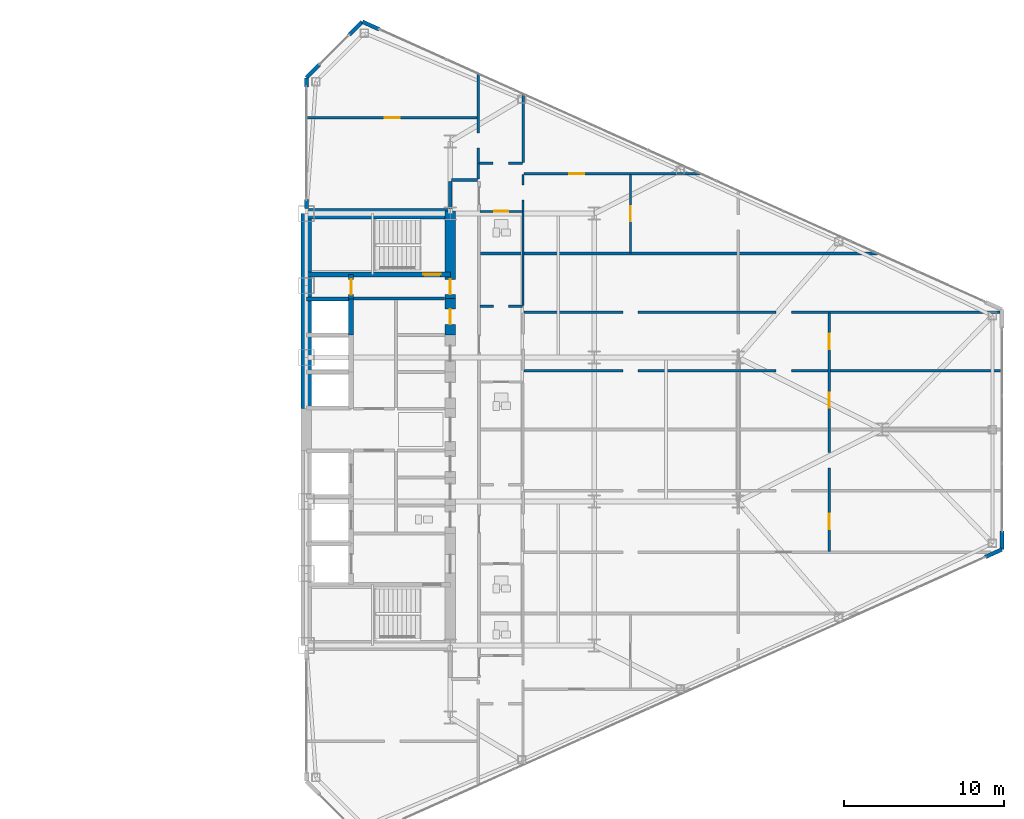
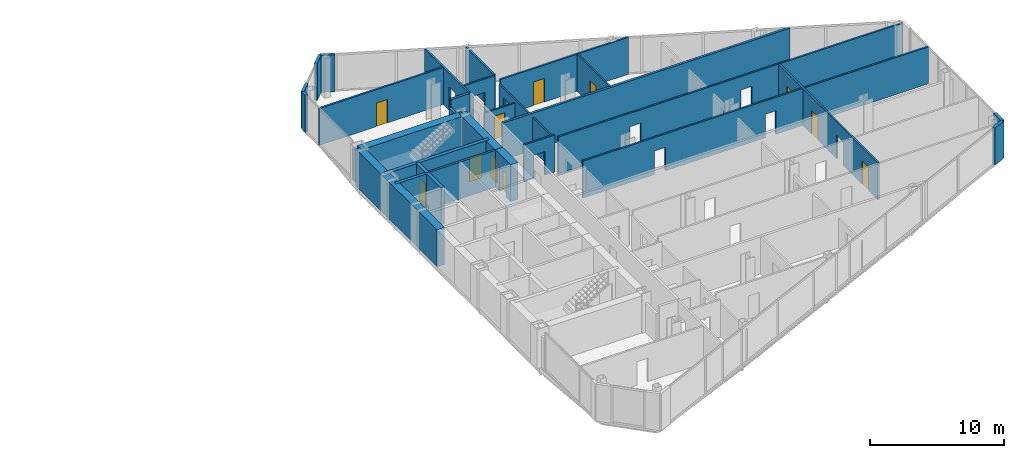
# One storey, part 24 of 27: 31 walls, 11 doors, 20 openings.
"""IFC4 building model written with IfcOpenShell, lengths in metres."""

from ifc_helpers import new_model, si_unit, direction, frame, frame_2d, origin, place, context, subcontext, project, spatial, rectangle, extrude, source, transform, mapped, material, layer, layer_set, type_object, type_shapes, element, fill, save


model = new_model("IFC4")

# Units and contexts
model_context = context("Model", 3, precision=1e-05, world=origin(), true_north=direction((0.0, 1.0)))
body_context = subcontext(model_context, "Body", "Model", "MODEL_VIEW")
ifc_project = project(units=[si_unit("LENGTHUNIT", "METRE"), si_unit("AREAUNIT", "SQUARE_METRE"), si_unit("VOLUMEUNIT", "CUBIC_METRE"), si_unit("PLANEANGLEUNIT", "RADIAN"), si_unit("MASSUNIT", "GRAM", prefix="KILO")], contexts=[model_context])

# Site, building, storey
site_placement = place(None, origin())
site = spatial("IfcSite", under=ifc_project, at=site_placement, CompositionType="ELEMENT")
building_placement = place(site_placement, origin())
building = spatial("IfcBuilding", under=site, at=building_placement, Name="Seokmaru Belvedere", CompositionType="ELEMENT")
storey_placement = place(building_placement, frame((0.0, 0.0, 80.10009765625)))
storey = spatial("IfcBuildingStorey", under=building, at=storey_placement, Name="L21", CompositionType="ELEMENT", Elevation=80.10009765625)

# Wall, openings
ifc_material_1 = material(Name="Fire-Rated Gypsum Shaftwall")
ifc_layer_1 = layer(ifc_material_1, 0.14990234375)
ifc_layer_set_1 = layer_set([ifc_layer_1], Name="Fire-Rated Gypsum Shaftwall")
wall_type_1 = type_object("IfcWallType", Name="Apartment Fire-Acoustic Room Partition 150", PredefinedType="PARTITIONING", material=ifc_layer_set_1)
wall_1_placement = place(storey_placement, frame((41.10009765625, 3.669921875, 0.0), z_axis=(0.0, 0.0, 1.0), x_axis=(1.0, 0.0, 0.0)))
wall_1 = element("IfcWall", 1, at=wall_1_placement, inside=storey, type_object=wall_type_1, Name="L21 Interior Partition 019", PredefinedType="PARTITIONING", context=body_context, shape_type="SweptSolid", body=[
    extrude(rectangle(XDim=29.934814453125, YDim=0.14990234375, at=frame_2d((14.96728515625, 0.0))), origin(), (0.0, 0.0, 1.0), 3.3798828125),
])
opening_1_placement = place(wall_1_placement, frame((6.199951171875, 0.0, 0.0)))
element("IfcOpeningElement", 2, at=opening_1_placement, cuts=wall_1, Name="L21 Cased Opening 051", PredefinedType="OPENING", context=body_context, shape_type="SweptSolid", body=[
    extrude(rectangle(XDim=0.949951171875, YDim=2.14990234375, at=frame_2d((0.47509765625, 1.074951171875))), frame((0.0, 0.0849609375, 0.0), z_axis=(0.0, -1.0, 0.0), x_axis=(1.0, 0.0, 0.0)), (0.0, 0.0, 1.0), 0.169921875),
])
opening_2_placement = place(wall_1_placement, frame((15.77490234375, 0.0, 0.0)))
element("IfcOpeningElement", 3, at=opening_2_placement, cuts=wall_1, Name="L21 Cased Opening 053", PredefinedType="OPENING", context=body_context, shape_type="SweptSolid", body=[
    extrude(rectangle(XDim=0.949951171875, YDim=2.14990234375, at=frame_2d((0.47509765625, 1.074951171875))), frame((0.0, 0.0849609375, 0.0), z_axis=(0.0, -1.0, 0.0), x_axis=(1.0, 0.0, 0.0)), (0.0, 0.0, 1.0), 0.169921875),
])

wall_2_placement = place(storey_placement, frame((41.10009765625, 7.330078125, 0.0), z_axis=(0.0, 0.0, 1.0), x_axis=(1.0, 0.0, 0.0)))
wall_2 = element("IfcWall", 4, at=wall_2_placement, inside=storey, type_object=wall_type_1, Name="L21 Interior Partition 021", PredefinedType="PARTITIONING", context=body_context, shape_type="SweptSolid", body=[
    extrude(rectangle(XDim=29.77490234375, YDim=0.14990234375, at=frame_2d((14.887451171875, 0.0))), origin(), (0.0, 0.0, 1.0), 3.3798828125),
])
opening_3_placement = place(wall_2_placement, frame((6.199951171875, 0.0, 0.0)))
element("IfcOpeningElement", 5, at=opening_3_placement, cuts=wall_2, Name="L21 Cased Opening 052", PredefinedType="OPENING", context=body_context, shape_type="SweptSolid", body=[
    extrude(rectangle(XDim=0.949951171875, YDim=2.14990234375, at=frame_2d((0.47509765625, 1.074951171875))), frame((0.0, 0.0849609375, 0.0), z_axis=(0.0, -1.0, 0.0), x_axis=(1.0, 0.0, 0.0)), (0.0, 0.0, 1.0), 0.169921875),
])
opening_4_placement = place(wall_2_placement, frame((15.77490234375, 0.0, 0.0)))
element("IfcOpeningElement", 6, at=opening_4_placement, cuts=wall_2, Name="L21 Cased Opening 056", PredefinedType="OPENING", context=body_context, shape_type="SweptSolid", body=[
    extrude(rectangle(XDim=0.949951171875, YDim=2.14990234375, at=frame_2d((0.47509765625, 1.074951171875))), frame((0.0, 0.0849609375, 0.0), z_axis=(0.0, -1.0, 0.0), x_axis=(1.0, 0.0, 0.0)), (0.0, 0.0, 1.0), 0.169921875),
])

# Wall, opening
wall_3_placement = place(storey_placement, frame((38.35009765625, 7.699951171875, 0.0), z_axis=(0.0, 0.0, 1.0), x_axis=(1.0, 0.0, 0.0)))
wall_3 = element("IfcWall", 7, at=wall_3_placement, inside=storey, type_object=wall_type_1, Name="L21 Interior Partition 022", PredefinedType="PARTITIONING", context=body_context, shape_type="SweptSolid", body=[
    extrude(rectangle(XDim=2.64990234375, YDim=0.14990234375, at=frame_2d((1.324951171875, 0.0))), origin(), (0.0, 0.0, 1.0), 3.3798828125),
])
opening_5_placement = place(wall_3_placement, frame((0.85009765625, 0.0, 0.0)))
element("IfcOpeningElement", 8, at=opening_5_placement, cuts=wall_3, Name="L21 Cased Opening 048", PredefinedType="OPENING", context=body_context, shape_type="SweptSolid", body=[
    extrude(rectangle(XDim=0.949951171875, YDim=2.14990234375, at=frame_2d((0.47509765625, 1.074951171875))), frame((0.0, 0.0849609375, 0.0), z_axis=(0.0, -1.0, 0.0), x_axis=(1.0, 0.0, 0.0)), (0.0, 0.0, 1.0), 0.169921875),
])

# Wall, opening, door
wall_4_placement = place(storey_placement, frame((41.10009765625, 15.989990234375, 0.0), z_axis=(0.0, 0.0, 1.0), x_axis=(1.0, 0.0, 0.0)))
wall_4 = element("IfcWall", 9, at=wall_4_placement, inside=storey, type_object=wall_type_1, Name="L21 Interior Partition 031", PredefinedType="PARTITIONING", context=body_context, shape_type="SweptSolid", body=[
    extrude(rectangle(XDim=11.07080078125, YDim=0.14990234375, at=frame_2d((5.535400390625, 0.0))), origin(), (0.0, 0.0, 1.0), 3.3798828125),
])
opening_6_placement = place(wall_4_placement, frame((2.83740234375, 0.0, 0.0)))
opening_6 = element("IfcOpeningElement", 10, at=opening_6_placement, cuts=wall_4, Name="Opening D05", PredefinedType="OPENING", context=body_context, shape_type="SweptSolid", body=[
    extrude(rectangle(XDim=0.949951171875, YDim=2.14990234375, at=frame_2d((0.47509765625, 1.074951171875))), frame((0.0, 0.0849609375, 0.0), z_axis=(0.0, -1.0, 0.0), x_axis=(1.0, 0.0, 0.0)), (0.0, 0.0, 1.0), 0.169921875),
])
ifc_material_2 = material(Name="Engineered White Oak Timber", Category="wood")
door_type_1 = type_object("IfcDoorType", Name="Apartment Interior Fire-Rated Oak Door 950x2150", OperationType="NOTDEFINED", PredefinedType="DOOR", material=ifc_material_2)
shared_shape_1 = source(origin(), body_context, "Body", "SweptSolid", [
    extrude(rectangle(XDim=0.949951171875, YDim=2.14990234375, at=frame_2d((0.47509765625, 1.074951171875))), frame((0.0, 0.02490234375, 0.0), z_axis=(0.0, -1.0, 0.0), x_axis=(1.0, 0.0, 0.0)), (0.0, 0.0, 1.0), 0.050048828125),
])
type_shapes(door_type_1, [shared_shape_1])
door_1_placement = place(opening_6_placement, origin())
door_1 = element("IfcDoor", 11, at=door_1_placement, inside=storey, type_object=door_type_1, Name="L21 Interior Door 062", OperationType="SINGLE_SWING_LEFT", OverallHeight=2.14990234375, OverallWidth=0.949951171875, PredefinedType="DOOR", context=body_context, shape_type="MappedRepresentation", body=[
    mapped(shared_shape_1, transform((0.0, 0.0, 0.0), scale=1.0)),
])
fill(opening_6, door_1)

# Wall, opening
wall_5_placement = place(storey_placement, frame((38.300048828125, 16.639892578125, 0.0), z_axis=(0.0, 0.0, 1.0), x_axis=(1.0, 0.0, 0.0)))
wall_5 = element("IfcWall", 12, at=wall_5_placement, inside=storey, type_object=wall_type_1, Name="L21 Interior Partition 033", PredefinedType="PARTITIONING", context=body_context, shape_type="SweptSolid", body=[
    extrude(rectangle(XDim=2.699951171875, YDim=0.14990234375, at=frame_2d((1.35009765625, 0.0))), origin(), (0.0, 0.0, 1.0), 3.3798828125),
])
opening_7_placement = place(wall_5_placement, frame((0.875, 0.0, 0.0)))
element("IfcOpeningElement", 13, at=opening_7_placement, cuts=wall_5, Name="L21 Cased Opening 059", PredefinedType="OPENING", context=body_context, shape_type="SweptSolid", body=[
    extrude(rectangle(XDim=0.949951171875, YDim=2.14990234375, at=frame_2d((0.47509765625, 1.074951171875))), frame((0.0, 0.0849609375, 0.0), z_axis=(0.0, -1.0, 0.0), x_axis=(1.0, 0.0, 0.0)), (0.0, 0.0, 1.0), 0.169921875),
])

# Wall, opening, door
wall_6_placement = place(storey_placement, frame((27.465087890625, 19.5, 0.0), z_axis=(0.0, 0.0, 1.0), x_axis=(1.0, 0.0, 0.0)))
wall_6 = element("IfcWall", 14, at=wall_6_placement, inside=storey, type_object=wall_type_1, Name="L21 Interior Partition 035", PredefinedType="PARTITIONING", context=body_context, shape_type="SweptSolid", body=[
    extrude(rectangle(XDim=10.73486328125, YDim=0.14990234375, at=frame_2d((5.367431640625, 0.0))), origin(), (0.0, 0.0, 1.0), 3.3798828125),
])
opening_8_placement = place(wall_6_placement, frame((4.93505859375, 0.0, 0.0)))
opening_8 = element("IfcOpeningElement", 15, at=opening_8_placement, cuts=wall_6, Name="Opening D05", PredefinedType="OPENING", context=body_context, shape_type="SweptSolid", body=[
    extrude(rectangle(XDim=0.949951171875, YDim=2.14990234375, at=frame_2d((0.47509765625, 1.074951171875))), frame((0.0, 0.0849609375, 0.0), z_axis=(0.0, -1.0, 0.0), x_axis=(1.0, 0.0, 0.0)), (0.0, 0.0, 1.0), 0.169921875),
])
door_2_placement = place(opening_8_placement, origin())
door_2 = element("IfcDoor", 16, at=door_2_placement, inside=storey, type_object=door_type_1, Name="L21 Interior Door 064", OperationType="SINGLE_SWING_LEFT", OverallHeight=2.14990234375, OverallWidth=0.949951171875, PredefinedType="DOOR", context=body_context, shape_type="MappedRepresentation", body=[
    mapped(shared_shape_1, transform((0.0, 0.0, 0.0), scale=1.0)),
])
fill(opening_8, door_2)

# Wall, opening
wall_7_placement = place(storey_placement, frame((38.25, 15.64990234375, 0.0), z_axis=(0.0, 0.0, 1.0), x_axis=(0.0, 1.0, 0.0)))
wall_7 = element("IfcWall", 17, at=wall_7_placement, inside=storey, type_object=wall_type_1, Name="L21 Interior Partition 048", PredefinedType="PARTITIONING", context=body_context, shape_type="SweptSolid", body=[
    extrude(rectangle(XDim=6.623046875, YDim=0.14990234375, at=frame_2d((3.3115234375, 0.0))), origin(), (0.0, 0.0, 1.0), 3.3798828125),
])
opening_9_placement = place(wall_7_placement, frame((1.947509765625, 0.0, 0.0)))
element("IfcOpeningElement", 18, at=opening_9_placement, cuts=wall_7, Name="L21 Cased Opening 063", PredefinedType="OPENING", context=body_context, shape_type="SweptSolid", body=[
    extrude(rectangle(XDim=0.949951171875, YDim=2.14990234375, at=frame_2d((0.47509765625, 1.074951171875))), frame((0.0, 0.0849609375, 0.0), z_axis=(0.0, -1.0, 0.0), x_axis=(1.0, 0.0, 0.0)), (0.0, 0.0, 1.0), 0.169921875),
])

# Wall
wall_8_placement = place(storey_placement, frame((41.050048828125, 16.695068359375, 0.0), z_axis=(0.0, 0.0, 1.0), x_axis=(0.0, 1.0, 0.0)))
element("IfcWall", 19, at=wall_8_placement, inside=storey, type_object=wall_type_1, Name="L21 Interior Partition 055", PredefinedType="PARTITIONING", context=body_context, shape_type="SweptSolid", body=[
    extrude(rectangle(XDim=4.31689453125, YDim=0.14990234375, at=frame_2d((2.158447265625, 0.0))), origin(), (0.0, 0.0, 1.0), 3.3798828125),
])

# Wall, opening, door
wall_9_placement = place(storey_placement, frame((47.77001953125, 11.050048828125, 0.0), z_axis=(0.0, 0.0, 1.0), x_axis=(0.0, 1.0, 0.0)))
wall_9 = element("IfcWall", 20, at=wall_9_placement, inside=storey, type_object=wall_type_1, Name="L21 Interior Partition 057", PredefinedType="PARTITIONING", context=body_context, shape_type="SweptSolid", body=[
    extrude(rectangle(XDim=4.888916015625, YDim=0.14990234375, at=frame_2d((2.4443359375, 0.0))), origin(), (0.0, 0.0, 1.0), 3.3798828125),
])
opening_10_placement = place(wall_9_placement, frame((1.969482421875, 0.0, 0.0)))
opening_10 = element("IfcOpeningElement", 21, at=opening_10_placement, cuts=wall_9, Name="Opening D05", PredefinedType="OPENING", context=body_context, shape_type="SweptSolid", body=[
    extrude(rectangle(XDim=0.949951171875, YDim=2.14990234375, at=frame_2d((0.47509765625, 1.074951171875))), frame((0.0, 0.0849609375, 0.0), z_axis=(0.0, -1.0, 0.0), x_axis=(1.0, 0.0, 0.0)), (0.0, 0.0, 1.0), 0.169921875),
])
door_3_placement = place(opening_10_placement, origin())
door_3 = element("IfcDoor", 22, at=door_3_placement, inside=storey, type_object=door_type_1, Name="L21 Interior Door 061", OperationType="SINGLE_SWING_RIGHT", OverallHeight=2.14990234375, OverallWidth=0.949951171875, PredefinedType="DOOR", context=body_context, shape_type="MappedRepresentation", body=[
    mapped(shared_shape_1, transform((0.0, 0.0, 0.0), scale=1.0)),
])
fill(opening_10, door_3)

# Wall, openings, doors
wall_10_placement = place(storey_placement, frame((60.199951171875, -7.616943359375, 0.0), z_axis=(0.0, 0.0, 1.0), x_axis=(0.0, 1.0, 0.0)))
wall_10 = element("IfcWall", 23, at=wall_10_placement, inside=storey, type_object=wall_type_1, Name="L21 Interior Partition 059", PredefinedType="PARTITIONING", context=body_context, shape_type="SweptSolid", body=[
    extrude(rectangle(XDim=14.89990234375, YDim=0.14990234375, at=frame_2d((7.449951171875, 0.0))), origin(), (0.0, 0.0, 1.0), 3.3798828125),
])
opening_11_placement = place(wall_10_placement, frame((1.39208984375, 0.0, 0.0)))
opening_11 = element("IfcOpeningElement", 24, at=opening_11_placement, cuts=wall_10, Name="Opening D05", PredefinedType="OPENING", context=body_context, shape_type="SweptSolid", body=[
    extrude(rectangle(XDim=0.949951171875, YDim=2.14990234375, at=frame_2d((0.47509765625, 1.074951171875))), frame((0.0, 0.0849609375, 0.0), z_axis=(0.0, -1.0, 0.0), x_axis=(1.0, 0.0, 0.0)), (0.0, 0.0, 1.0), 0.169921875),
])
opening_12_placement = place(wall_10_placement, frame((5.225341796875, 0.0, 0.0)))
element("IfcOpeningElement", 25, at=opening_12_placement, cuts=wall_10, Name="L21 Cased Opening 045", PredefinedType="OPENING", context=body_context, shape_type="SweptSolid", body=[
    extrude(rectangle(XDim=0.949951171875, YDim=2.14990234375, at=frame_2d((0.47509765625, 1.074951171875))), frame((0.0, 0.0849609375, 0.0), z_axis=(0.0, -1.0, 0.0), x_axis=(1.0, 0.0, 0.0)), (0.0, 0.0, 1.0), 0.169921875),
])
opening_13_placement = place(wall_10_placement, frame((8.975341796875, 0.0, 0.0)))
opening_13 = element("IfcOpeningElement", 26, at=opening_13_placement, cuts=wall_10, Name="Opening D05", PredefinedType="OPENING", context=body_context, shape_type="SweptSolid", body=[
    extrude(rectangle(XDim=0.949951171875, YDim=2.14990234375, at=frame_2d((0.47509765625, 1.074951171875))), frame((0.0, 0.0849609375, 0.0), z_axis=(0.0, -1.0, 0.0), x_axis=(1.0, 0.0, 0.0)), (0.0, 0.0, 1.0), 0.169921875),
])
opening_14_placement = place(wall_10_placement, frame((12.64208984375, 0.0, 0.0)))
opening_14 = element("IfcOpeningElement", 27, at=opening_14_placement, cuts=wall_10, Name="Opening D05", PredefinedType="OPENING", context=body_context, shape_type="SweptSolid", body=[
    extrude(rectangle(XDim=0.949951171875, YDim=2.14990234375, at=frame_2d((0.47509765625, 1.074951171875))), frame((0.0, 0.0849609375, 0.0), z_axis=(0.0, -1.0, 0.0), x_axis=(1.0, 0.0, 0.0)), (0.0, 0.0, 1.0), 0.169921875),
])
door_4_placement = place(opening_11_placement, origin())
door_4 = element("IfcDoor", 28, at=door_4_placement, inside=storey, type_object=door_type_1, Name="L21 Interior Door 043", OperationType="SINGLE_SWING_LEFT", OverallHeight=2.14990234375, OverallWidth=0.949951171875, PredefinedType="DOOR", context=body_context, shape_type="MappedRepresentation", body=[
    mapped(shared_shape_1, transform((0.0, 0.0, 0.0), scale=1.0)),
])
fill(opening_11, door_4)
door_5_placement = place(opening_13_placement, origin())
door_5 = element("IfcDoor", 29, at=door_5_placement, inside=storey, type_object=door_type_1, Name="L21 Interior Door 054", OperationType="SINGLE_SWING_LEFT", OverallHeight=2.14990234375, OverallWidth=0.949951171875, PredefinedType="DOOR", context=body_context, shape_type="MappedRepresentation", body=[
    mapped(shared_shape_1, transform((0.0, 0.0, 0.0), scale=1.0)),
])
fill(opening_13, door_5)
door_6_placement = place(opening_14_placement, origin())
door_6 = element("IfcDoor", 30, at=door_6_placement, inside=storey, type_object=door_type_1, Name="L21 Interior Door 055", OperationType="SINGLE_SWING_LEFT", OverallHeight=2.14990234375, OverallWidth=0.949951171875, PredefinedType="DOOR", context=body_context, shape_type="MappedRepresentation", body=[
    mapped(shared_shape_1, transform((0.0, 0.0, 0.0), scale=1.0)),
])
fill(opening_14, door_6)

# Walls
ifc_layer_2 = layer(ifc_material_1, 0.179931640625)
ifc_layer_set_2 = layer_set([ifc_layer_2], Name="Fire-Rated Gypsum Shaftwall")
wall_type_2 = type_object("IfcWallType", Name="Core Service Fire Partition 180", PredefinedType="PARTITIONING", material=ifc_layer_set_2)
wall_11_placement = place(storey_placement, frame((30.449951171875, 8.199951171875, 0.0), z_axis=(0.0, 0.0, 1.0), x_axis=(1.0, 0.0, 0.0)))
element("IfcWall", 31, at=wall_11_placement, inside=storey, type_object=wall_type_2, Name="L21 East Smokeproof Vestibule Partition", PredefinedType="PARTITIONING", context=body_context, shape_type="SweptSolid", body=[
    extrude(rectangle(XDim=5.699951171875, YDim=0.179931640625, at=frame_2d((2.85009765625, 0.0))), origin(), (0.0, 0.0, 1.0), 3.3798828125),
])
ifc_material_3 = material(Name="Concrete C50 (50 MPa)", Category="concrete")
ifc_layer_3 = layer(ifc_material_3, 0.25)
ifc_layer_set_3 = layer_set([ifc_layer_3], Name="Concrete C50 (50 MPa)")
wall_type_3 = type_object("IfcWallType", Name="Hoistway Transverse Concrete Divider Wall 250", PredefinedType="SHEAR", material=ifc_layer_set_3)
wall_12_placement = place(storey_placement, frame((27.5, 8.14990234375, 0.0), z_axis=(0.0, 0.0, 1.0), x_axis=(1.0, 0.0, 0.0)))
element("IfcWall", 32, at=wall_12_placement, inside=storey, type_object=wall_type_3, Name="L21 East Hoistway Divider Core Wall 7", PredefinedType="SHEAR", context=body_context, shape_type="SweptSolid", body=[
    extrude(rectangle(XDim=2.800048828125, YDim=0.25, at=frame_2d((1.39990234375, 0.0))), origin(), (0.0, 0.0, 1.0), 3.3798828125),
])
ifc_layer_4 = layer(ifc_material_1, 0.199951171875)
ifc_layer_set_4 = layer_set([ifc_layer_4], Name="Fire-Rated Gypsum Shaftwall")
wall_type_4 = type_object("IfcWallType", Name="Inter-Tenancy Fire Compartment Partition 200", PredefinedType="PARTITIONING", material=ifc_layer_set_4)
wall_13_placement = place(storey_placement, frame((38.3798828125, 11.0, 0.0), z_axis=(0.0, 0.0, 1.0), x_axis=(1.0, 0.0, 0.0)))
element("IfcWall", 33, at=wall_13_placement, inside=storey, type_object=wall_type_4, Name="L21 Interior Partition 025", PredefinedType="PARTITIONING", context=body_context, shape_type="SweptSolid", body=[
    extrude(rectangle(XDim=24.85400390625, YDim=0.199951171875, at=frame_2d((12.427001953125, 0.0))), origin(), (0.0, 0.0, 1.0), 3.3798828125),
])
wall_14_placement = place(storey_placement, frame((36.5849609375, 15.60009765625, 0.0), z_axis=(0.0, 0.0, 1.0), x_axis=(1.0, 0.0, 0.0)))
element("IfcWall", 34, at=wall_14_placement, inside=storey, type_object=wall_type_4, Name="L21 Interior Partition 030", PredefinedType="PARTITIONING", context=body_context, shape_type="SweptSolid", body=[
    extrude(rectangle(XDim=1.630126953125, YDim=0.199951171875, at=frame_2d((0.81494140625, 0.0))), origin(), (0.0, 0.0, 1.0), 3.3798828125),
])
wall_15_placement = place(storey_placement, frame((36.5, 13.830078125, 0.0), z_axis=(0.0, 0.0, 1.0), x_axis=(0.0, 1.0, 0.0)))
element("IfcWall", 35, at=wall_15_placement, inside=storey, type_object=wall_type_4, Name="L21 Interior Partition 046", PredefinedType="PARTITIONING", context=body_context, shape_type="SweptSolid", body=[
    extrude(rectangle(XDim=1.684814453125, YDim=0.199951171875, at=frame_2d((0.84228515625, 0.0))), origin(), (0.0, 0.0, 1.0), 2.679931640625),
])

# Wall, opening, door
ifc_layer_5 = layer(ifc_material_3, 0.300048828125)
ifc_layer_set_5 = layer_set([ifc_layer_5], Name="Concrete C50 (50 MPa)")
wall_type_5 = type_object("IfcWallType", Name="Internal Core Stair and Hoistway Wall 300", PredefinedType="SHEAR", material=ifc_layer_set_5)
wall_16_placement = place(storey_placement, frame((27.5, 9.699951171875, 0.0), z_axis=(0.0, 0.0, 1.0), x_axis=(1.0, 0.0, 0.0)))
wall_16 = element("IfcWall", 36, at=wall_16_placement, inside=storey, type_object=wall_type_5, Name="L21 East Stair ST-2 Enclosure Wall", PredefinedType="SHEAR", context=body_context, shape_type="SweptSolid", body=[
    extrude(rectangle(XDim=9.0, YDim=0.300048828125, at=frame_2d((4.5, 0.0))), origin(), (0.0, 0.0, 1.0), 3.3798828125),
])
opening_15_placement = place(wall_16_placement, frame((7.300048828125, 0.0, 0.0)))
opening_15 = element("IfcOpeningElement", 37, at=opening_15_placement, cuts=wall_16, Name="Opening D01", PredefinedType="OPENING", context=body_context, shape_type="SweptSolid", body=[
    extrude(rectangle(XDim=1.10009765625, YDim=2.199951171875, at=frame_2d((0.550048828125, 1.10009765625))), frame((0.0, 0.16015625, 0.0), z_axis=(0.0, -1.0, 0.0), x_axis=(1.0, 0.0, 0.0)), (0.0, 0.0, 1.0), 0.320068359375),
])
ifc_material_4 = material(Name="Fire-Rated Steel Leaf", Category="steel")
door_type_2 = type_object("IfcDoorType", Name="Special Escape Stair Smokeproof Fire Door 1100x2200", OperationType="NOTDEFINED", PredefinedType="DOOR", material=ifc_material_4)
shared_shape_2 = source(origin(), body_context, "Body", "SweptSolid", [
    extrude(rectangle(XDim=1.10009765625, YDim=2.199951171875, at=frame_2d((0.550048828125, 1.10009765625))), frame((0.0, 0.02490234375, 0.0), z_axis=(0.0, -1.0, 0.0), x_axis=(1.0, 0.0, 0.0)), (0.0, 0.0, 1.0), 0.050048828125),
])
type_shapes(door_type_2, [shared_shape_2])
door_7_placement = place(opening_15_placement, origin())
door_7 = element("IfcDoor", 38, at=door_7_placement, inside=storey, type_object=door_type_2, Name="L21 East Special Escape Stair ST-2 Door", OperationType="SINGLE_SWING_LEFT", OverallHeight=2.199951171875, OverallWidth=1.10009765625, PredefinedType="DOOR", context=body_context, shape_type="MappedRepresentation", body=[
    mapped(shared_shape_2, transform((0.0, 0.0, 0.0), scale=1.0)),
])
fill(opening_15, door_7)

# Wall
wall_17_placement = place(storey_placement, frame((30.300048828125, 5.89990234375, 0.0), z_axis=(0.0, 0.0, 1.0), x_axis=(0.0, 1.0, 0.0)))
element("IfcWall", 39, at=wall_17_placement, inside=storey, type_object=wall_type_5, Name="L21 East North Hoistway Wall OBS", PredefinedType="SHEAR", context=body_context, shape_type="SweptSolid", body=[
    extrude(rectangle(XDim=2.25, YDim=0.300048828125, at=frame_2d((1.125, 0.0))), origin(), (0.0, 0.0, 1.0), 3.3798828125),
])

# Wall, opening, door
wall_18_placement = place(storey_placement, frame((30.300048828125, 8.14990234375, 0.0), z_axis=(0.0, 0.0, 1.0), x_axis=(0.0, 1.0, 0.0)))
wall_18 = element("IfcWall", 40, at=wall_18_placement, inside=storey, type_object=wall_type_5, Name="L21 East Electrical Riser Front Wall", PredefinedType="SHEAR", context=body_context, shape_type="SweptSolid", body=[
    extrude(rectangle(XDim=1.530029296875, YDim=0.300048828125, at=frame_2d((0.76513671875, 0.0))), origin(), (0.0, 0.0, 1.0), 3.3798828125),
])
opening_16_placement = place(wall_18_placement, frame((0.284912109375, 0.0, 0.0)))
opening_16 = element("IfcOpeningElement", 41, at=opening_16_placement, cuts=wall_18, Name="Opening D04", PredefinedType="OPENING", context=body_context, shape_type="SweptSolid", body=[
    extrude(rectangle(XDim=0.949951171875, YDim=2.14990234375, at=frame_2d((0.47509765625, 1.074951171875))), frame((0.0, 0.16015625, 0.0), z_axis=(0.0, -1.0, 0.0), x_axis=(1.0, 0.0, 0.0)), (0.0, 0.0, 1.0), 0.320068359375),
])
door_type_3 = type_object("IfcDoorType", Name="Core Service Room Fire Door 950x2150", OperationType="NOTDEFINED", PredefinedType="DOOR", material=ifc_material_4)
shared_shape_3 = source(origin(), body_context, "Body", "SweptSolid", [
    extrude(rectangle(XDim=0.949951171875, YDim=2.14990234375, at=frame_2d((0.47509765625, 1.074951171875))), frame((0.0, 0.02490234375, 0.0), z_axis=(0.0, -1.0, 0.0), x_axis=(1.0, 0.0, 0.0)), (0.0, 0.0, 1.0), 0.050048828125),
])
type_shapes(door_type_3, [shared_shape_3])
door_8_placement = place(opening_16_placement, origin())
door_8 = element("IfcDoor", 42, at=door_8_placement, inside=storey, type_object=door_type_3, Name="L21 East Electrical Riser Access Door", OperationType="SINGLE_SWING_RIGHT", OverallHeight=2.14990234375, OverallWidth=0.949951171875, PredefinedType="DOOR", context=body_context, shape_type="MappedRepresentation", body=[
    mapped(shared_shape_3, transform((0.0, 0.0, 0.0), scale=1.0)),
])
fill(opening_16, door_8)

# Walls
ifc_material_5 = material(Name="Concrete C60 (60 MPa)", Category="concrete")
ifc_layer_6 = layer(ifc_material_5, 0.64990234375)
ifc_layer_set_6 = layer_set([ifc_layer_6], Name="Concrete C60 (60 MPa)")
wall_type_6 = type_object("IfcWallType", Name="Mid-Low Reinforced Concrete Core Wall 650", PredefinedType="SHEAR", material=ifc_layer_set_6)
wall_19_placement = place(storey_placement, frame((27.5, 1.300048828125, 0.0), z_axis=(0.0, 0.0, 1.0), x_axis=(0.0, 1.0, 0.0)))
element("IfcWall", 43, at=wall_19_placement, inside=storey, type_object=wall_type_6, Name="L21 East Portal Spine Core Wall North", PredefinedType="SHEAR", context=body_context, shape_type="SweptSolid", body=[
    extrude(rectangle(XDim=12.199951171875, YDim=0.64990234375, at=frame_2d((6.10009765625, 0.0))), origin(), (0.0, 0.0, 1.0), 3.3798828125),
])
wall_20_placement = place(storey_placement, frame((27.5, 13.5, 0.0), z_axis=(0.0, 0.0, 1.0), x_axis=(1.0, 0.0, 0.0)))
element("IfcWall", 44, at=wall_20_placement, inside=storey, type_object=wall_type_6, Name="L21 East North Core Wall", PredefinedType="SHEAR", context=body_context, shape_type="SweptSolid", body=[
    extrude(rectangle(XDim=9.0, YDim=0.64990234375, at=frame_2d((4.5, 0.0))), origin(), (0.0, 0.0, 1.0), 3.3798828125),
])

# Wall, opening, door
wall_21_placement = place(storey_placement, frame((36.5, 8.199951171875, 0.0), z_axis=(0.0, 0.0, 1.0), x_axis=(0.0, 1.0, 0.0)))
wall_21 = element("IfcWall", 45, at=wall_21_placement, inside=storey, type_object=wall_type_6, Name="L21 East West Core Wall VST", PredefinedType="SHEAR", context=body_context, shape_type="SweptSolid", body=[
    extrude(rectangle(XDim=5.449951171875, YDim=0.64990234375, at=frame_2d((2.72509765625, 0.0))), origin(), (0.0, 0.0, 1.0), 3.3798828125),
])
opening_17_placement = place(wall_21_placement, frame((0.2451171875, 0.0, 0.0)))
opening_17 = element("IfcOpeningElement", 46, at=opening_17_placement, cuts=wall_21, Name="Opening D04", PredefinedType="OPENING", context=body_context, shape_type="SweptSolid", body=[
    extrude(rectangle(XDim=0.949951171875, YDim=2.14990234375, at=frame_2d((0.47509765625, 1.074951171875))), frame((0.0, 0.3349609375, 0.0), z_axis=(0.0, -1.0, 0.0), x_axis=(1.0, 0.0, 0.0)), (0.0, 0.0, 1.0), 0.669921875),
])
door_9_placement = place(opening_17_placement, origin())
door_9 = element("IfcDoor", 47, at=door_9_placement, inside=storey, type_object=door_type_3, Name="L21 East Smokeproof Vestibule Door", OperationType="SINGLE_SWING_LEFT", OverallHeight=2.14990234375, OverallWidth=0.949951171875, PredefinedType="DOOR", context=body_context, shape_type="MappedRepresentation", body=[
    mapped(shared_shape_3, transform((0.0, 0.0, 0.0), scale=1.0)),
])
fill(opening_17, door_9)

wall_22_placement = place(storey_placement, frame((36.5, 5.89990234375, 0.0), z_axis=(0.0, 0.0, 1.0), x_axis=(0.0, 1.0, 0.0)))
wall_22 = element("IfcWall", 48, at=wall_22_placement, inside=storey, type_object=wall_type_6, Name="L21 East West Core Wall CS6", PredefinedType="SHEAR", context=body_context, shape_type="SweptSolid", body=[
    extrude(rectangle(XDim=2.300048828125, YDim=0.64990234375, at=frame_2d((1.14990234375, 0.0))), origin(), (0.0, 0.0, 1.0), 3.3798828125),
])
opening_18_placement = place(wall_22_placement, frame((0.675048828125, 0.0, 0.0)))
opening_18 = element("IfcOpeningElement", 49, at=opening_18_placement, cuts=wall_22, Name="Opening D04", PredefinedType="OPENING", context=body_context, shape_type="SweptSolid", body=[
    extrude(rectangle(XDim=0.949951171875, YDim=2.14990234375, at=frame_2d((0.47509765625, 1.074951171875))), frame((0.0, 0.3349609375, 0.0), z_axis=(0.0, -1.0, 0.0), x_axis=(1.0, 0.0, 0.0)), (0.0, 0.0, 1.0), 0.669921875),
])
door_10_placement = place(opening_18_placement, origin())
door_10 = element("IfcDoor", 50, at=door_10_placement, inside=storey, type_object=door_type_3, Name="L21 East Core Service Room Door 6", OperationType="SINGLE_SWING_LEFT", OverallHeight=2.14990234375, OverallWidth=0.949951171875, PredefinedType="DOOR", context=body_context, shape_type="MappedRepresentation", body=[
    mapped(shared_shape_3, transform((0.0, 0.0, 0.0), scale=1.0)),
])
fill(opening_18, door_10)

ifc_layer_7 = layer(ifc_material_1, 0.1298828125)
ifc_layer_set_7 = layer_set([ifc_layer_7], Name="Fire-Rated Gypsum Shaftwall")
wall_type_7 = type_object("IfcWallType", Name="Moisture-Resistant Fire-Rated Bathroom Partition 130", PredefinedType="PARTITIONING", material=ifc_layer_set_7)
wall_23_placement = place(storey_placement, frame((38.35009765625, 13.639892578125, 0.0), z_axis=(0.0, 0.0, 1.0), x_axis=(1.0, 0.0, 0.0)))
wall_23 = element("IfcWall", 51, at=wall_23_placement, inside=storey, type_object=wall_type_7, Name="L21 Interior Partition 027", PredefinedType="PARTITIONING", context=body_context, shape_type="SweptSolid", body=[
    extrude(rectangle(XDim=2.64990234375, YDim=0.1298828125, at=frame_2d((1.324951171875, 0.0))), origin(), (0.0, 0.0, 1.0), 2.679931640625),
])
opening_19_placement = place(wall_23_placement, frame((0.885009765625, 0.0, 0.0)))
opening_19 = element("IfcOpeningElement", 52, at=opening_19_placement, cuts=wall_23, Name="Opening D06", PredefinedType="OPENING", context=body_context, shape_type="SweptSolid", body=[
    extrude(rectangle(XDim=0.8798828125, YDim=2.10009765625, at=frame_2d((0.43994140625, 1.050048828125))), frame((0.0, 0.074951171875, 0.0), z_axis=(0.0, -1.0, 0.0), x_axis=(1.0, 0.0, 0.0)), (0.0, 0.0, 1.0), 0.14990234375),
])
door_type_4 = type_object("IfcDoorType", Name="Bathroom and Restroom Fire-Rated Door 880x2100", OperationType="NOTDEFINED", PredefinedType="DOOR", material=ifc_material_2)
shared_shape_4 = source(origin(), body_context, "Body", "SweptSolid", [
    extrude(rectangle(XDim=0.8798828125, YDim=2.10009765625, at=frame_2d((0.43994140625, 1.050048828125))), frame((0.0, 0.02490234375, 0.0), z_axis=(0.0, -1.0, 0.0), x_axis=(1.0, 0.0, 0.0)), (0.0, 0.0, 1.0), 0.050048828125),
])
type_shapes(door_type_4, [shared_shape_4])
door_11_placement = place(opening_19_placement, origin())
door_11 = element("IfcDoor", 53, at=door_11_placement, inside=storey, type_object=door_type_4, Name="L21 Interior Door 058", OperationType="SINGLE_SWING_RIGHT", OverallHeight=2.10009765625, OverallWidth=0.8798828125, PredefinedType="DOOR", context=body_context, shape_type="MappedRepresentation", body=[
    mapped(shared_shape_4, transform((0.0, 0.0, 0.0), scale=1.0)),
])
fill(opening_19, door_11)

# Wall, opening
wall_24_placement = place(storey_placement, frame((41.050048828125, 7.751953125, 0.0), z_axis=(0.0, 0.0, 1.0), x_axis=(0.0, 1.0, 0.0)))
wall_24 = element("IfcWall", 54, at=wall_24_placement, inside=storey, type_object=wall_type_7, Name="L21 Interior Partition 054", PredefinedType="PARTITIONING", context=body_context, shape_type="SweptSolid", body=[
    extrude(rectangle(XDim=8.18701171875, YDim=0.1298828125, at=frame_2d((4.093505859375, 0.0))), origin(), (0.0, 0.0, 1.0), 2.989990234375),
])
opening_20_placement = place(wall_24_placement, frame((6.58984375, 0.0, 0.0)))
element("IfcOpeningElement", 55, at=opening_20_placement, cuts=wall_24, Name="L21 Cased Opening 060", PredefinedType="OPENING", context=body_context, shape_type="SweptSolid", body=[
    extrude(rectangle(XDim=0.949951171875, YDim=2.14990234375, at=frame_2d((0.47509765625, 1.074951171875))), frame((0.0, 0.074951171875, 0.0), z_axis=(0.0, -1.0, 0.0), x_axis=(1.0, 0.0, 0.0)), (0.0, 0.0, 1.0), 0.14990234375),
])

# Walls
ifc_material_6 = material(Name="Anodised Bronze Aluminium", Category="aluminium")
ifc_layer_8 = layer(ifc_material_6, 0.239990234375)
ifc_layer_set_8 = layer_set([ifc_layer_8], Name="Anodised Bronze Aluminium")
wall_type_8 = type_object("IfcWallType", Name="Tower Corner Spandrel Closure Wall 240", PredefinedType="SOLIDWALL", material=ifc_layer_set_8)
for number, where, z_axis, x_axis, name in (
    (56, (69.951416015625, -7.971923828125, 0.0), (0.0, 0.0, 1.0), (0.911929519623, 0.410346866979, 0.0), "L21 E Corner Closure Pier 1B"),
    (57, (71.0, -7.489990234375, 0.0), (0.0, 0.0, 1.0), (0.0, 1.0, 0.0), "L21 E Corner Closure Pier 2A"),
    (58, (32.048583984375, 25.028076171875, 0.0), (0.0, 0.0, 1.0), (-0.911929519623, 0.410346866979, 0.0), "L21 E Corner Closure Pier 3B"),
):
    element("IfcWall", number, at=place(storey_placement, frame(where, z_axis=z_axis, x_axis=x_axis)), inside=storey, type_object=wall_type_8, Name=name, PredefinedType="SOLIDWALL", context=body_context, shape_type="SweptSolid", body=[
        extrude(rectangle(XDim=1.139892578125, YDim=0.239990234375, at=frame_2d((0.56982421875, 0.0))), origin(), (0.0, 0.0, 1.0), 3.3798828125),
    ])
for number, where, z_axis, x_axis, name in (
    (59, (30.992919921875, 25.492919921875, 0.0), (0.0, 0.0, 1.0), (-0.707106781187, -0.707106781187, 0.0), "L21 E Corner Closure Pier 4A"),
    (60, (28.313232421875, 22.813232421875, 0.0), (0.0, 0.0, 1.0), (-0.707106781187, -0.707106781187, 0.0), "L21 E Corner Closure Pier 4B"),
):
    element("IfcWall", number, at=place(storey_placement, frame(where, z_axis=z_axis, x_axis=x_axis)), inside=storey, type_object=wall_type_8, Name=name, PredefinedType="SOLIDWALL", context=body_context, shape_type="SweptSolid", body=[
        extrude(rectangle(XDim=1.14013671875, YDim=0.239990234375, at=frame_2d((0.570068359375, 0.0))), origin(), (0.0, 0.0, 1.0), 3.3798828125),
    ])
wall_25_placement = place(storey_placement, frame((27.5, 13.830078125, 0.0), z_axis=(0.0, 0.0, 1.0), x_axis=(0.0, 1.0, 0.0)))
element("IfcWall", 61, at=wall_25_placement, inside=storey, type_object=wall_type_8, Name="L21 E Spine Closure Pier 2A", PredefinedType="SOLIDWALL", context=body_context, shape_type="SweptSolid", body=[
    extrude(rectangle(XDim=0.5498046875, YDim=0.239990234375, at=frame_2d((0.27490234375, 0.0))), origin(), (0.0, 0.0, 1.0), 2.8798828125),
])
wall_26_placement = place(storey_placement, frame((27.5, 21.429931640625, 0.0), z_axis=(0.0, 0.0, 1.0), x_axis=(0.0, 1.0, 0.0)))
element("IfcWall", 62, at=wall_26_placement, inside=storey, type_object=wall_type_8, Name="L21 E Spine Closure Pier 2B", PredefinedType="SOLIDWALL", context=body_context, shape_type="SweptSolid", body=[
    extrude(rectangle(XDim=0.550048828125, YDim=0.239990234375, at=frame_2d((0.27490234375, 0.0))), origin(), (0.0, 0.0, 1.0), 3.3798828125),
])

save(model, "model.ifc")
